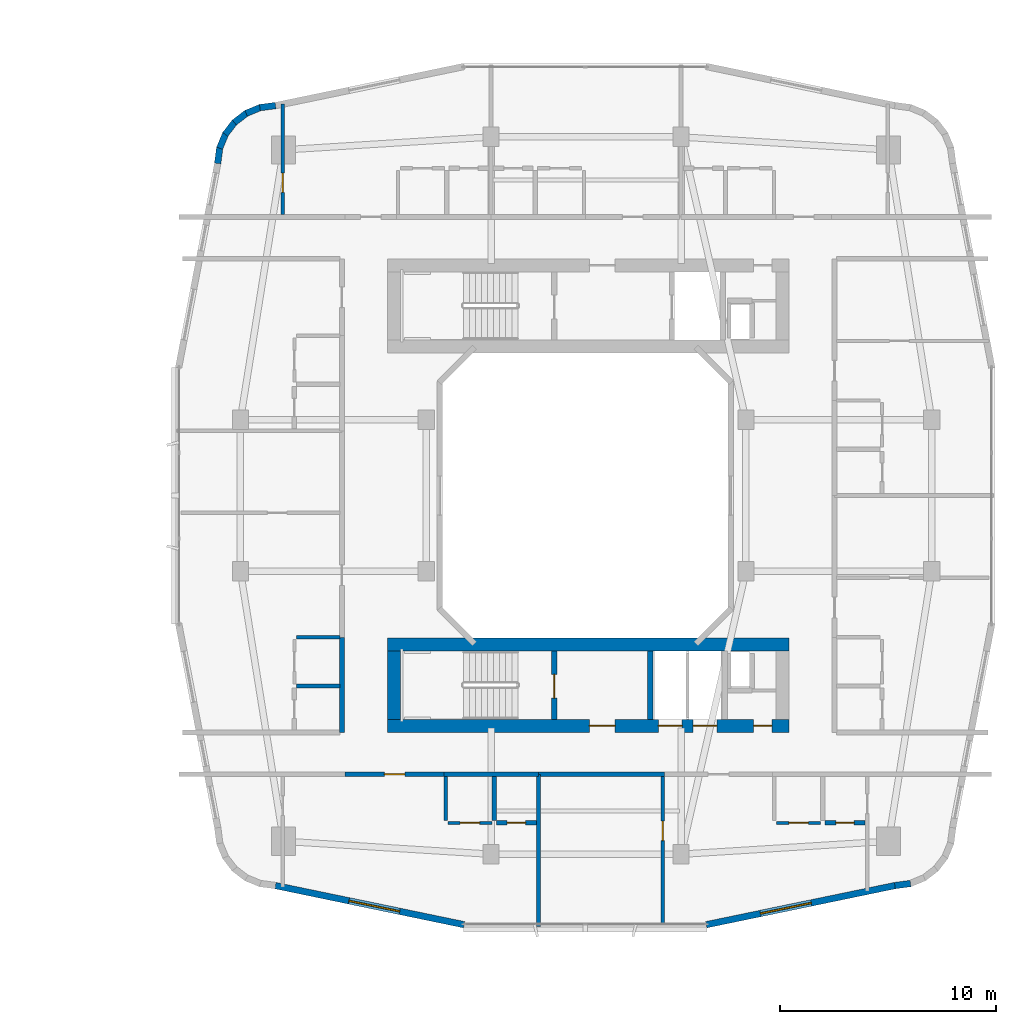
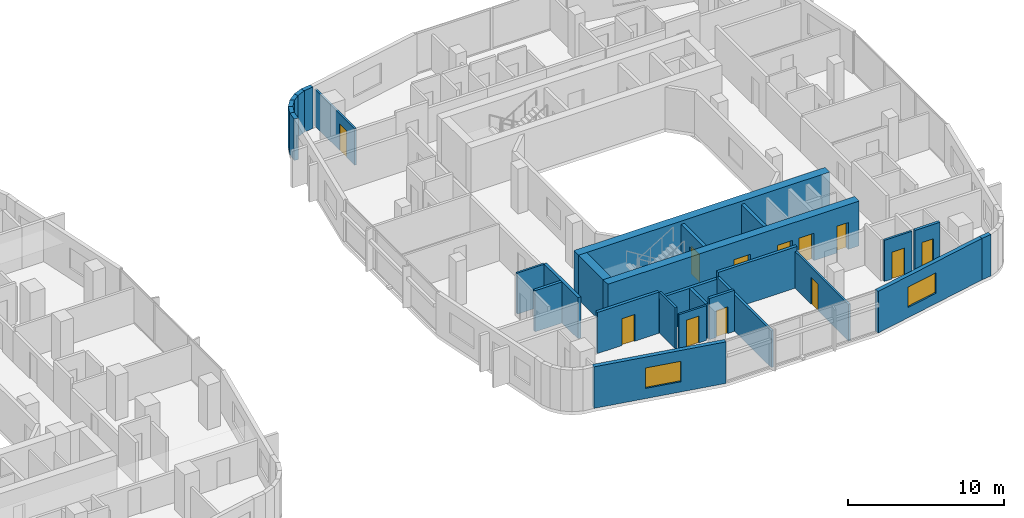
# One storey, part 18 of 27: 29 walls, 12 doors, 2 windows, 14 openings.
"""IFC4 building model written with IfcOpenShell, lengths in metres."""

from ifc_helpers import new_model, si_unit, derived_unit, direction, frame, frame_2d, origin, place, context, subcontext, project, spatial, rectangle, extrude, material, layer, layer_set, type_object, element, fill, save


model = new_model("IFC4")

# Units and contexts
model_context = context("Model", 3, precision=1e-05, world=origin(), true_north=direction((0.0, 1.0)))
body_context = subcontext(model_context, "Body", "Model", "MODEL_VIEW")
ifc_project = project(units=[si_unit("LENGTHUNIT", "METRE"), si_unit("AREAUNIT", "SQUARE_METRE"), si_unit("VOLUMEUNIT", "CUBIC_METRE"), si_unit("PLANEANGLEUNIT", "RADIAN"), si_unit("MASSUNIT", "GRAM", prefix="KILO"), derived_unit("THERMALTRANSMITTANCEUNIT", [(si_unit("POWERUNIT", "WATT"), 1), (si_unit("LENGTHUNIT", "METRE"), -2), (si_unit("THERMODYNAMICTEMPERATUREUNIT", "KELVIN"), -1)])], contexts=[model_context])

# Site, building, storey
site_placement = place(None, origin())
site = spatial("IfcSite", under=ifc_project, at=site_placement, CompositionType="ELEMENT")
building_placement = place(site_placement, origin())
building = spatial("IfcBuilding", under=site, at=building_placement, Name="Kivonza Crest Hotel", CompositionType="ELEMENT")
storey_placement = place(building_placement, frame((0.0, 0.0, 34.5)))
storey = spatial("IfcBuildingStorey", under=building, at=storey_placement, Name="L08", CompositionType="ELEMENT", Elevation=34.5)

# Walls
ifc_material_1 = material(Name="High-density acoustic masonry inter-tenancy wall", Category="masonry")
ifc_layer_1 = layer(ifc_material_1, 0.179931640625)
ifc_layer_set_1 = layer_set([ifc_layer_1], Name="High-density acoustic masonry inter-tenancy wall")
wall_type_1 = type_object("IfcWallType", Name="WL-ACOU-180", PredefinedType="SOLIDWALL", material=ifc_layer_set_1)
wall_1_placement = place(storey_placement, frame((74.800048828125, 5.06005859375, 0.0), z_axis=(0.0, 0.0, 1.0), x_axis=(0.0, 1.0, 0.0)))
element("IfcWall", 1, at=wall_1_placement, inside=storey, type_object=wall_type_1, Name="L08 interior partition WA-L08-T2S-DIV1", PredefinedType="SOLIDWALL", context=body_context, shape_type="SweptSolid", body=[
    extrude(rectangle(XDim=7.0400390625, YDim=0.179931640625, at=frame_2d((3.52001953125, 0.0))), origin(), (0.0, 0.0, 1.0), 2.864990234375),
])
ifc_material_2 = material(Name="Autoclaved aerated concrete blockwork", Category="masonry")
ifc_layer_2 = layer(ifc_material_2, 0.219970703125)
ifc_layer_set_2 = layer_set([ifc_layer_2], Name="Autoclaved aerated concrete blockwork")
wall_type_2 = type_object("IfcWallType", Name="WL-ACOU-220", PredefinedType="SOLIDWALL", material=ifc_layer_set_2)
wall_2_placement = place(storey_placement, frame((70.419921875, 12.10009765625, 0.0), z_axis=(0.0, 0.0, 1.0), x_axis=(1.0, 0.0, 0.0)))
element("IfcWall", 2, at=wall_2_placement, inside=storey, type_object=wall_type_2, Name="L08 interior partition WA-L08-A04-RCORR", PredefinedType="SOLIDWALL", context=body_context, shape_type="SweptSolid", body=[
    extrude(rectangle(XDim=4.380126953125, YDim=0.219970703125, at=frame_2d((2.18994140625, 0.0))), origin(), (0.0, 0.0, 1.0), 2.72509765625),
])

# Wall, opening, door
wall_3_placement = place(storey_placement, frame((65.85009765625, 12.10009765625, 0.0), z_axis=(0.0, 0.0, 1.0), x_axis=(1.0, 0.0, 0.0)))
wall_3 = element("IfcWall", 3, at=wall_3_placement, inside=storey, type_object=wall_type_2, Name="L08 interior partition WA-L08-A04-MCORR", PredefinedType="SOLIDWALL", context=body_context, shape_type="SweptSolid", body=[
    extrude(rectangle(XDim=4.56982421875, YDim=0.219970703125, at=frame_2d((2.284912109375, 0.0))), origin(), (0.0, 0.0, 1.0), 3.219970703125),
])
opening_1_placement = place(wall_3_placement, frame((1.81005859375, 0.0, 0.0)))
opening_1 = element("IfcOpeningElement", 4, at=opening_1_placement, cuts=wall_3, Name="Opening DU-60", PredefinedType="OPENING", context=body_context, shape_type="SweptSolid", body=[
    extrude(rectangle(XDim=0.949951171875, YDim=2.10009765625, at=frame_2d((0.47509765625, 1.050048828125))), frame((0.0, 0.1201171875, 0.0), z_axis=(0.0, -1.0, 0.0), x_axis=(1.0, 0.0, 0.0)), (0.0, 0.0, 1.0), 0.239990234375),
])
ifc_material_3 = material(Name="Hardwood timber oak", Category="wood")
door_type_1 = type_object("IfcDoorType", Name="DR-UNIT-950", OperationType="NOTDEFINED", PredefinedType="DOOR", material=ifc_material_3)
door_1_placement = place(opening_1_placement, frame((0.949951171875, 0.0, 0.0), z_axis=(0.0, 0.0, 1.0), x_axis=(-1.0, 0.0, 0.0)))
door_1 = element("IfcDoor", 5, at=door_1_placement, inside=storey, type_object=door_type_1, Name="L08 A04 apartment entrance fire door", OperationType="SINGLE_SWING_RIGHT", OverallHeight=2.10009765625, OverallWidth=0.949951171875, PredefinedType="DOOR", context=body_context, shape_type="SweptSolid", body=[
    extrude(rectangle(XDim=0.949951171875, YDim=2.10009765625, at=frame_2d((0.47509765625, 1.050048828125))), frame((0.0, 0.02490234375, 0.0), z_axis=(0.0, -1.0, 0.0), x_axis=(1.0, 0.0, 0.0)), (0.0, 0.0, 1.0), 0.050048828125),
])
fill(opening_1, door_1)

# Walls
wall_4_placement = place(storey_placement, frame((74.800048828125, 12.10009765625, 0.0), z_axis=(0.0, 0.0, 1.0), x_axis=(1.0, 0.0, 0.0)))
element("IfcWall", 6, at=wall_4_placement, inside=storey, type_object=wall_type_2, Name="L08 interior partition WA-L08-A05-LCORR", PredefinedType="SOLIDWALL", context=body_context, shape_type="SweptSolid", body=[
    extrude(rectangle(XDim=5.829833984375, YDim=0.219970703125, at=frame_2d((2.9150390625, 0.0))), origin(), (0.0, 0.0, 1.0), 3.219970703125),
])
wall_5_placement = place(storey_placement, frame((65.699951171875, 14.0400390625, 0.0), z_axis=(0.0, 0.0, 1.0), x_axis=(0.0, 1.0, 0.0)))
element("IfcWall", 7, at=wall_5_placement, inside=storey, type_object=wall_type_2, Name="L08 interior partition WA-L08-A06-BCORR", PredefinedType="SOLIDWALL", context=body_context, shape_type="SweptSolid", body=[
    extrude(rectangle(XDim=4.39990234375, YDim=0.219970703125, at=frame_2d((2.199951171875, 0.0))), origin(), (0.0, 0.0, 1.0), 3.219970703125),
])

# Wall, openings, doors
ifc_material_4 = material(Name="Concrete C60/75", Category="concrete")
ifc_layer_3 = layer(ifc_material_4, 0.60009765625)
ifc_layer_set_3 = layer_set([ifc_layer_3], Name="Concrete C60/75")
wall_type_3 = type_object("IfcWallType", Name="WL-CORE-600", PredefinedType="SHEAR", material=ifc_layer_set_3)
wall_6_placement = place(storey_placement, frame((67.800048828125, 14.340087890625, 0.0), z_axis=(0.0, 0.0, 1.0), x_axis=(1.0, 0.0, 0.0)))
wall_6 = element("IfcWall", 8, at=wall_6_placement, inside=storey, type_object=wall_type_3, Name="Core wall T2-S South L08", PredefinedType="SHEAR", context=body_context, shape_type="SweptSolid", body=[
    extrude(rectangle(XDim=18.599853515625, YDim=0.60009765625, at=frame_2d((9.2998046875, 0.0))), origin(), (0.0, 0.0, 1.0), 3.5),
])
opening_2_placement = place(wall_6_placement, frame((9.35009765625, 0.0, 0.0)))
opening_2 = element("IfcOpeningElement", 9, at=opening_2_placement, cuts=wall_6, Name="Opening DF-60", PredefinedType="OPENING", context=body_context, shape_type="SweptSolid", body=[
    extrude(rectangle(XDim=1.199951171875, YDim=2.14990234375, at=frame_2d((0.60009765625, 1.074951171875))), frame((0.0, 0.31005859375, 0.0), z_axis=(0.0, -1.0, 0.0), x_axis=(1.0, 0.0, 0.0)), (0.0, 0.0, 1.0), 0.6201171875),
])
opening_3_placement = place(wall_6_placement, frame((16.949951171875, 0.0, 0.0)))
opening_3 = element("IfcOpeningElement", 10, at=opening_3_placement, cuts=wall_6, Name="Opening DF-60R", PredefinedType="OPENING", context=body_context, shape_type="SweptSolid", body=[
    extrude(rectangle(XDim=0.85009765625, YDim=2.10009765625, at=frame_2d((0.425048828125, 1.050048828125))), frame((0.0, 0.31005859375, 0.0), z_axis=(0.0, -1.0, 0.0), x_axis=(1.0, 0.0, 0.0)), (0.0, 0.0, 1.0), 0.6201171875),
])
opening_4_placement = place(wall_6_placement, frame((12.550048828125, 0.0, 0.0)))
opening_4 = element("IfcOpeningElement", 11, at=opening_4_placement, cuts=wall_6, Name="Opening LD-120", PredefinedType="OPENING", context=body_context, shape_type="SweptSolid", body=[
    extrude(rectangle(XDim=1.10009765625, YDim=2.14990234375, at=frame_2d((0.550048828125, 1.074951171875))), frame((0.0, 0.31005859375, 0.0), z_axis=(0.0, -1.0, 0.0), x_axis=(1.0, 0.0, 0.0)), (0.0, 0.0, 1.0), 0.6201171875),
])
opening_5_placement = place(wall_6_placement, frame((14.14990234375, 0.0, 0.0)))
opening_5 = element("IfcOpeningElement", 12, at=opening_5_placement, cuts=wall_6, Name="Opening LD-120", PredefinedType="OPENING", context=body_context, shape_type="SweptSolid", body=[
    extrude(rectangle(XDim=1.10009765625, YDim=2.14990234375, at=frame_2d((0.550048828125, 1.074951171875))), frame((0.0, 0.31005859375, 0.0), z_axis=(0.0, -1.0, 0.0), x_axis=(1.0, 0.0, 0.0)), (0.0, 0.0, 1.0), 0.6201171875),
])
door_type_2 = type_object("IfcDoorType", Name="DR-FD60-1200", OperationType="NOTDEFINED", PredefinedType="DOOR", material=ifc_material_3)
door_2_placement = place(opening_2_placement, frame((1.199951171875, 0.0, 0.0), z_axis=(0.0, 0.0, 1.0), x_axis=(-1.0, 0.0, 0.0)))
door_2 = element("IfcDoor", 13, at=door_2_placement, inside=storey, type_object=door_type_2, Name="L08 T2-S firefighting lobby fire door", OperationType="SINGLE_SWING_LEFT", OverallHeight=2.14990234375, OverallWidth=1.199951171875, PredefinedType="DOOR", context=body_context, shape_type="SweptSolid", body=[
    extrude(rectangle(XDim=1.199951171875, YDim=2.14990234375, at=frame_2d((0.60009765625, 1.074951171875))), frame((0.0, 0.02490234375, 0.0), z_axis=(0.0, -1.0, 0.0), x_axis=(1.0, 0.0, 0.0)), (0.0, 0.0, 1.0), 0.050048828125),
])
fill(opening_2, door_2)
door_type_3 = type_object("IfcDoorType", Name="DR-FD60-850", OperationType="NOTDEFINED", PredefinedType="DOOR", material=ifc_material_3)
door_3_placement = place(opening_3_placement, frame((0.85009765625, 0.0, 0.0), z_axis=(0.0, 0.0, 1.0), x_axis=(-1.0, 0.0, 0.0)))
door_3 = element("IfcDoor", 14, at=door_3_placement, inside=storey, type_object=door_type_3, Name="L08 T2-S core room door", OperationType="SINGLE_SWING_RIGHT", OverallHeight=2.10009765625, OverallWidth=0.85009765625, PredefinedType="DOOR", context=body_context, shape_type="SweptSolid", body=[
    extrude(rectangle(XDim=0.85009765625, YDim=2.10009765625, at=frame_2d((0.425048828125, 1.050048828125))), frame((0.0, 0.02490234375, 0.0), z_axis=(0.0, -1.0, 0.0), x_axis=(1.0, 0.0, 0.0)), (0.0, 0.0, 1.0), 0.050048828125),
])
fill(opening_3, door_3)
ifc_material_5 = material(Name="Stainless steel", Category="steel")
door_type_4 = type_object("IfcDoorType", Name="DR-LD120-1100", OperationType="NOTDEFINED", PredefinedType="DOOR", material=ifc_material_5)
door_4_placement = place(opening_4_placement, frame((1.10009765625, 0.0, 0.0), z_axis=(0.0, 0.0, 1.0), x_axis=(-1.0, 0.0, 0.0)))
door_4 = element("IfcDoor", 15, at=door_4_placement, inside=storey, type_object=door_type_4, Name="L08 PL-T2-1 passenger lift sliding landing door", OperationType="DOUBLE_DOOR_SLIDING", OverallHeight=2.14990234375, OverallWidth=1.10009765625, PredefinedType="DOOR", context=body_context, shape_type="SweptSolid", body=[
    extrude(rectangle(XDim=1.10009765625, YDim=2.14990234375, at=frame_2d((0.550048828125, 1.074951171875))), frame((0.0, 0.02490234375, 0.0), z_axis=(0.0, -1.0, 0.0), x_axis=(1.0, 0.0, 0.0)), (0.0, 0.0, 1.0), 0.050048828125),
])
fill(opening_4, door_4)
door_5_placement = place(opening_5_placement, frame((1.10009765625, 0.0, 0.0), z_axis=(0.0, 0.0, 1.0), x_axis=(-1.0, 0.0, 0.0)))
door_5 = element("IfcDoor", 16, at=door_5_placement, inside=storey, type_object=door_type_4, Name="L08 PL-T2-2 passenger lift sliding landing door", OperationType="DOUBLE_DOOR_SLIDING", OverallHeight=2.14990234375, OverallWidth=1.10009765625, PredefinedType="DOOR", context=body_context, shape_type="SweptSolid", body=[
    extrude(rectangle(XDim=1.10009765625, YDim=2.14990234375, at=frame_2d((0.550048828125, 1.074951171875))), frame((0.0, 0.02490234375, 0.0), z_axis=(0.0, -1.0, 0.0), x_axis=(1.0, 0.0, 0.0)), (0.0, 0.0, 1.0), 0.050048828125),
])
fill(opening_5, door_5)

# Walls
wall_7_placement = place(storey_placement, frame((67.800048828125, 18.10009765625, 0.0), z_axis=(0.0, 0.0, 1.0), x_axis=(1.0, 0.0, 0.0)))
element("IfcWall", 17, at=wall_7_placement, inside=storey, type_object=wall_type_3, Name="Core wall T2-S North L08", PredefinedType="SHEAR", context=body_context, shape_type="SweptSolid", body=[
    extrude(rectangle(XDim=18.599853515625, YDim=0.60009765625, at=frame_2d((9.2998046875, 0.0))), origin(), (0.0, 0.0, 1.0), 3.5),
])
wall_8_placement = place(storey_placement, frame((68.10009765625, 14.639892578125, 0.0), z_axis=(0.0, 0.0, 1.0), x_axis=(0.0, 1.0, 0.0)))
element("IfcWall", 18, at=wall_8_placement, inside=storey, type_object=wall_type_3, Name="Core wall T2-S West L08", PredefinedType="SHEAR", context=body_context, shape_type="SweptSolid", body=[
    extrude(rectangle(XDim=3.16015625, YDim=0.60009765625, at=frame_2d((1.580078125, 0.0))), origin(), (0.0, 0.0, 1.0), 3.5),
])

# Wall, opening, window
ifc_material_6 = material(Name="Precast concrete C40/50", Category="concrete")
ifc_layer_4 = layer(ifc_material_6, 0.300048828125)
ifc_layer_set_4 = layer_set([ifc_layer_4], Name="Precast concrete C40/50")
wall_type_4 = type_object("IfcWallType", Name="WL-EXT-300", PredefinedType="STANDARD", material=ifc_layer_set_4)
wall_9_placement = place(storey_placement, frame((62.6220703125, 6.948974609375, 0.0), z_axis=(0.0, 0.0, 1.0), x_axis=(0.979127260729, -0.203248142175, 0.0)))
wall_9 = element("IfcWall", 19, at=wall_9_placement, inside=storey, type_object=wall_type_4, Name="L08 T2 exterior insulated wall 7", PredefinedType="STANDARD", context=body_context, shape_type="SweptSolid", body=[
    extrude(rectangle(XDim=8.920166015625, YDim=0.300048828125, at=frame_2d((4.4599609375, 0.0))), origin(), (0.0, 0.0, 1.0), 3.25),
])
opening_6_placement = place(wall_9_placement, frame((3.471923828125, 0.0, 0.800048828125)))
opening_6 = element("IfcOpeningElement", 20, at=opening_6_placement, cuts=wall_9, Name="Opening WN-05", PredefinedType="OPENING", context=body_context, shape_type="SweptSolid", body=[
    extrude(rectangle(XDim=2.39990234375, YDim=1.60009765625, at=frame_2d((1.199951171875, 0.800048828125))), frame((0.0, 0.16015625, 0.0), z_axis=(0.0, -1.0, 0.0), x_axis=(1.0, 0.0, 0.0)), (0.0, 0.0, 1.0), 0.320068359375),
])
ifc_material_7 = material(Name="Thermally broken bronze aluminium and low-E double glazing", Category="aluminium")
window_type = type_object("IfcWindowType", Name="WN-240x160", PartitioningType="TRIPLE_PANEL_VERTICAL", PredefinedType="WINDOW", material=ifc_material_7)
window_1_placement = place(opening_6_placement, origin())
window_1 = element("IfcWindow", 21, at=window_1_placement, inside=storey, type_object=window_type, Name="L08 T2 facade window 7", OverallHeight=1.60009765625, OverallWidth=2.39990234375, PartitioningType="SINGLE_PANEL", PredefinedType="WINDOW", context=body_context, shape_type="SweptSolid", body=[
    extrude(rectangle(XDim=2.39990234375, YDim=1.60009765625, at=frame_2d((1.199951171875, 0.800048828125))), frame((0.0, 0.030029296875, 0.0), z_axis=(0.0, -1.0, 0.0), x_axis=(1.0, 0.0, 0.0)), (0.0, 0.0, 1.0), 0.06005859375),
])
fill(opening_6, window_1)

wall_10_placement = place(storey_placement, frame((82.56396484375, 5.135986328125, 0.0), z_axis=(0.0, 0.0, 1.0), x_axis=(0.979128391325, 0.203242695569, 0.0)))
wall_10 = element("IfcWall", 22, at=wall_10_placement, inside=storey, type_object=wall_type_4, Name="L08 T2 exterior insulated wall 9", PredefinedType="STANDARD", context=body_context, shape_type="SweptSolid", body=[
    extrude(rectangle(XDim=8.92041015625, YDim=0.300048828125, at=frame_2d((4.460205078125, 0.0))), origin(), (0.0, 0.0, 1.0), 3.25),
])
opening_7_placement = place(wall_10_placement, frame((2.56298828125, 0.0, 0.800048828125)))
opening_7 = element("IfcOpeningElement", 23, at=opening_7_placement, cuts=wall_10, Name="Opening WN-05", PredefinedType="OPENING", context=body_context, shape_type="SweptSolid", body=[
    extrude(rectangle(XDim=2.39990234375, YDim=1.60009765625, at=frame_2d((1.199951171875, 0.800048828125))), frame((0.0, 0.16015625, 0.0), z_axis=(0.0, -1.0, 0.0), x_axis=(1.0, 0.0, 0.0)), (0.0, 0.0, 1.0), 0.320068359375),
])
window_2_placement = place(opening_7_placement, origin())
window_2 = element("IfcWindow", 24, at=window_2_placement, inside=storey, type_object=window_type, Name="L08 T2 facade window 9", OverallHeight=1.60009765625, OverallWidth=2.39990234375, PartitioningType="SINGLE_PANEL", PredefinedType="WINDOW", context=body_context, shape_type="SweptSolid", body=[
    extrude(rectangle(XDim=2.39990234375, YDim=1.60009765625, at=frame_2d((1.199951171875, 0.800048828125))), frame((0.0, 0.030029296875, 0.0), z_axis=(0.0, -1.0, 0.0), x_axis=(1.0, 0.0, 0.0)), (0.0, 0.0, 1.0), 0.06005859375),
])
fill(opening_7, window_2)

# Walls
wall_11_placement = place(storey_placement, frame((91.29296875, 6.947998046875, 0.0), z_axis=(0.0, 0.0, 1.0), x_axis=(0.991486167159, 0.13021205909, 0.0)))
element("IfcWall", 25, at=wall_11_placement, inside=storey, type_object=wall_type_4, Name="L08 T2 exterior insulated wall 10", PredefinedType="STANDARD", context=body_context, shape_type="SweptSolid", body=[
    extrude(rectangle(XDim=0.729248046875, YDim=0.300048828125, at=frame_2d((0.36474609375, 0.0))), origin(), (0.0, 0.0, 1.0), 3.25),
])
wall_12_placement = place(storey_placement, frame((62.626953125, 43.052001953125, 0.0), z_axis=(0.0, 0.0, 1.0), x_axis=(-0.991480488834, -0.130255288807, 0.0)))
element("IfcWall", 26, at=wall_12_placement, inside=storey, type_object=wall_type_4, Name="L08 T2 exterior insulated wall 28", PredefinedType="STANDARD", context=body_context, shape_type="SweptSolid", body=[
    extrude(rectangle(XDim=0.72900390625, YDim=0.300048828125, at=frame_2d((0.364501953125, 0.0))), origin(), (0.0, 0.0, 1.0), 3.25),
])
for number, where, z_axis, x_axis, name in (
    (27, (61.955078125, 42.97607421875, 0.0), (0.0, 0.0, 1.0), (-0.923521684703, -0.383546213491, 0.0), "L08 T2 exterior insulated wall 29"),
    (28, (61.31103515625, 42.720947265625, 0.0), (0.0, 0.0, 1.0), (-0.79363269798, -0.608397189915, 0.0), "L08 T2 exterior insulated wall 30"),
    (29, (60.75390625, 42.30908203125, 0.0), (0.0, 0.0, 1.0), (-0.608397189915, -0.79363269798, 0.0), "L08 T2 exterior insulated wall 31"),
    (30, (60.323974609375, 41.76611328125, 0.0), (0.0, 0.0, 1.0), (-0.383151213466, -0.923685632463, 0.0), "L08 T2 exterior insulated wall 32"),
):
    element("IfcWall", number, at=place(storey_placement, frame(where, z_axis=z_axis, x_axis=x_axis)), inside=storey, type_object=wall_type_4, Name=name, PredefinedType="STANDARD", context=body_context, shape_type="SweptSolid", body=[
        extrude(rectangle(XDim=0.74609375, YDim=0.300048828125, at=frame_2d((0.373046875, 0.0))), origin(), (0.0, 0.0, 1.0), 3.25),
    ])
wall_13_placement = place(storey_placement, frame((60.047119140625, 41.131103515625, 0.0), z_axis=(0.0, 0.0, 1.0), x_axis=(-0.129653178221, -0.991559404866, 0.0)))
element("IfcWall", 31, at=wall_13_placement, inside=storey, type_object=wall_type_4, Name="L08 T2 exterior insulated wall 33", PredefinedType="STANDARD", context=body_context, shape_type="SweptSolid", body=[
    extrude(rectangle(XDim=0.764404296875, YDim=0.300048828125, at=frame_2d((0.38232421875, 0.0))), origin(), (0.0, 0.0, 1.0), 3.25),
])

# Wall, opening, door
ifc_material_8 = material(Name="Twin-stud acoustic gypsum board partition", Category="gypsum")
ifc_layer_5 = layer(ifc_material_8, 0.14990234375)
ifc_layer_set_5 = layer_set([ifc_layer_5], Name="Twin-stud acoustic gypsum board partition")
wall_type_5 = type_object("IfcWallType", Name="WL-PART-150", PredefinedType="PARTITIONING", material=ifc_layer_set_5)
wall_14_placement = place(storey_placement, frame((62.9599609375, 38.0, 0.0), z_axis=(0.0, 0.0, 1.0), x_axis=(0.0, 1.0, 0.0)))
wall_14 = element("IfcWall", 32, at=wall_14_placement, inside=storey, type_object=wall_type_5, Name="L08 interior partition WP-L08-A01-BDW1", PredefinedType="PARTITIONING", context=body_context, shape_type="SweptSolid", body=[
    extrude(rectangle(XDim=5.113037109375, YDim=0.14990234375, at=frame_2d((2.556640625, 0.0))), origin(), (0.0, 0.0, 1.0), 2.864990234375),
])
opening_8_placement = place(wall_14_placement, frame((1.030029296875, 0.0, 0.0)))
opening_8 = element("IfcOpeningElement", 33, at=opening_8_placement, cuts=wall_14, Name="Opening DI-90", PredefinedType="OPENING", context=body_context, shape_type="SweptSolid", body=[
    extrude(rectangle(XDim=0.89990234375, YDim=2.10009765625, at=frame_2d((0.449951171875, 1.050048828125))), frame((0.0, 0.0849609375, 0.0), z_axis=(0.0, -1.0, 0.0), x_axis=(1.0, 0.0, 0.0)), (0.0, 0.0, 1.0), 0.169921875),
])
door_type_5 = type_object("IfcDoorType", Name="DR-INT-900", OperationType="NOTDEFINED", PredefinedType="DOOR", material=ifc_material_3)
door_6_placement = place(opening_8_placement, origin())
door_6 = element("IfcDoor", 34, at=door_6_placement, inside=storey, type_object=door_type_5, Name="L08 A01 bedroom 1 door", OperationType="SINGLE_SWING_RIGHT", OverallHeight=2.10009765625, OverallWidth=0.89990234375, PredefinedType="DOOR", context=body_context, shape_type="SweptSolid", body=[
    extrude(rectangle(XDim=0.89990234375, YDim=2.10009765625, at=frame_2d((0.449951171875, 1.050048828125))), frame((0.0, 0.02490234375, 0.0), z_axis=(0.0, -1.0, 0.0), x_axis=(1.0, 0.0, 0.0)), (0.0, 0.0, 1.0), 0.050048828125),
])
fill(opening_8, door_6)

# Wall
wall_15_placement = place(storey_placement, frame((70.5, 9.949951171875, 0.0), z_axis=(0.0, 0.0, 1.0), x_axis=(0.0, 1.0, 0.0)))
element("IfcWall", 35, at=wall_15_placement, inside=storey, type_object=wall_type_5, Name="L08 interior partition WP-L08-A04-KF", PredefinedType="PARTITIONING", context=body_context, shape_type="SweptSolid", body=[
    extrude(rectangle(XDim=2.050048828125, YDim=0.14990234375, at=frame_2d((1.02490234375, 0.0))), origin(), (0.0, 0.0, 1.0), 3.219970703125),
])

# Wall, opening, door
wall_16_placement = place(storey_placement, frame((70.60009765625, 9.85009765625, 0.0), z_axis=(0.0, 0.0, 1.0), x_axis=(1.0, 0.0, 0.0)))
wall_16 = element("IfcWall", 36, at=wall_16_placement, inside=storey, type_object=wall_type_5, Name="L08 interior partition WP-L08-A04-KSVC", PredefinedType="PARTITIONING", context=body_context, shape_type="SweptSolid", body=[
    extrude(rectangle(XDim=2.0498046875, YDim=0.14990234375, at=frame_2d((1.02490234375, 0.0))), origin(), (0.0, 0.0, 1.0), 2.72509765625),
])
opening_9_placement = place(wall_16_placement, frame((0.574951171875, 0.0, 0.0)))
opening_9 = element("IfcOpeningElement", 37, at=opening_9_placement, cuts=wall_16, Name="Opening DI-90", PredefinedType="OPENING", context=body_context, shape_type="SweptSolid", body=[
    extrude(rectangle(XDim=0.89990234375, YDim=2.10009765625, at=frame_2d((0.449951171875, 1.050048828125))), frame((0.0, 0.0849609375, 0.0), z_axis=(0.0, -1.0, 0.0), x_axis=(1.0, 0.0, 0.0)), (0.0, 0.0, 1.0), 0.169921875),
])
door_7_placement = place(opening_9_placement, frame((0.89990234375, 0.0, 0.0), z_axis=(0.0, 0.0, 1.0), x_axis=(-1.0, 0.0, 0.0)))
door_7 = element("IfcDoor", 38, at=door_7_placement, inside=storey, type_object=door_type_5, Name="L08 A04 apartment kitchen door", OperationType="SINGLE_SWING_RIGHT", OverallHeight=2.10009765625, OverallWidth=0.89990234375, PredefinedType="DOOR", context=body_context, shape_type="SweptSolid", body=[
    extrude(rectangle(XDim=0.89990234375, YDim=2.10009765625, at=frame_2d((0.449951171875, 1.050048828125))), frame((0.0, 0.02490234375, 0.0), z_axis=(0.0, -1.0, 0.0), x_axis=(1.0, 0.0, 0.0)), (0.0, 0.0, 1.0), 0.050048828125),
])
fill(opening_9, door_7)

wall_17_placement = place(storey_placement, frame((80.550048828125, 5.159912109375, 0.0), z_axis=(0.0, 0.0, 1.0), x_axis=(0.0, 1.0, 0.0)))
wall_17 = element("IfcWall", 39, at=wall_17_placement, inside=storey, type_object=wall_type_5, Name="L08 interior partition WP-L08-A05-BDW1", PredefinedType="PARTITIONING", context=body_context, shape_type="SweptSolid", body=[
    extrude(rectangle(XDim=6.840087890625, YDim=0.14990234375, at=frame_2d((3.419921875, 0.0))), origin(), (0.0, 0.0, 1.0), 2.864990234375),
])
opening_10_placement = place(wall_17_placement, frame((3.8701171875, 0.0, 0.0)))
opening_10 = element("IfcOpeningElement", 40, at=opening_10_placement, cuts=wall_17, Name="Opening DI-90", PredefinedType="OPENING", context=body_context, shape_type="SweptSolid", body=[
    extrude(rectangle(XDim=0.89990234375, YDim=2.10009765625, at=frame_2d((0.449951171875, 1.050048828125))), frame((0.0, 0.0849609375, 0.0), z_axis=(0.0, -1.0, 0.0), x_axis=(1.0, 0.0, 0.0)), (0.0, 0.0, 1.0), 0.169921875),
])
door_8_placement = place(opening_10_placement, origin())
door_8 = element("IfcDoor", 41, at=door_8_placement, inside=storey, type_object=door_type_5, Name="L08 A05 bedroom 1 door", OperationType="SINGLE_SWING_RIGHT", OverallHeight=2.10009765625, OverallWidth=0.89990234375, PredefinedType="DOOR", context=body_context, shape_type="SweptSolid", body=[
    extrude(rectangle(XDim=0.89990234375, YDim=2.10009765625, at=frame_2d((0.449951171875, 1.050048828125))), frame((0.0, 0.02490234375, 0.0), z_axis=(0.0, -1.0, 0.0), x_axis=(1.0, 0.0, 0.0)), (0.0, 0.0, 1.0), 0.050048828125),
])
fill(opening_10, door_8)

wall_18_placement = place(storey_placement, frame((85.81005859375, 9.85009765625, 0.0), z_axis=(0.0, 0.0, 1.0), x_axis=(1.0, 0.0, 0.0)))
wall_18 = element("IfcWall", 42, at=wall_18_placement, inside=storey, type_object=wall_type_5, Name="L08 interior partition WP-L08-A05-KSVC", PredefinedType="PARTITIONING", context=body_context, shape_type="SweptSolid", body=[
    extrude(rectangle(XDim=2.050048828125, YDim=0.14990234375, at=frame_2d((1.02490234375, 0.0))), origin(), (0.0, 0.0, 1.0), 3.219970703125),
])
opening_11_placement = place(wall_18_placement, frame((0.574951171875, 0.0, 0.0)))
opening_11 = element("IfcOpeningElement", 43, at=opening_11_placement, cuts=wall_18, Name="Opening DI-90", PredefinedType="OPENING", context=body_context, shape_type="SweptSolid", body=[
    extrude(rectangle(XDim=0.89990234375, YDim=2.10009765625, at=frame_2d((0.449951171875, 1.050048828125))), frame((0.0, 0.0849609375, 0.0), z_axis=(0.0, -1.0, 0.0), x_axis=(1.0, 0.0, 0.0)), (0.0, 0.0, 1.0), 0.169921875),
])
door_9_placement = place(opening_11_placement, frame((0.89990234375, 0.0, 0.0), z_axis=(0.0, 0.0, 1.0), x_axis=(-1.0, 0.0, 0.0)))
door_9 = element("IfcDoor", 44, at=door_9_placement, inside=storey, type_object=door_type_5, Name="L08 A05 apartment kitchen door", OperationType="SINGLE_SWING_LEFT", OverallHeight=2.10009765625, OverallWidth=0.89990234375, PredefinedType="DOOR", context=body_context, shape_type="SweptSolid", body=[
    extrude(rectangle(XDim=0.89990234375, YDim=2.10009765625, at=frame_2d((0.449951171875, 1.050048828125))), frame((0.0, 0.02490234375, 0.0), z_axis=(0.0, -1.0, 0.0), x_axis=(1.0, 0.0, 0.0)), (0.0, 0.0, 1.0), 0.050048828125),
])
fill(opening_11, door_9)

# Walls
wall_19_placement = place(storey_placement, frame((63.60009765625, 18.43994140625, 0.0), z_axis=(0.0, 0.0, 1.0), x_axis=(1.0, 0.0, 0.0)))
element("IfcWall", 45, at=wall_19_placement, inside=storey, type_object=wall_type_5, Name="L08 interior partition WP-L08-A06-KF", PredefinedType="PARTITIONING", context=body_context, shape_type="SweptSolid", body=[
    extrude(rectangle(XDim=2.0, YDim=0.14990234375, at=frame_2d((1.0, 0.0))), origin(), (0.0, 0.0, 1.0), 3.219970703125),
])
ifc_material_9 = material(Name="Moisture-resistant plumbing chase partition wall", Category="gypsum")
ifc_layer_6 = layer(ifc_material_9, 0.199951171875)
ifc_layer_set_6 = layer_set([ifc_layer_6], Name="Moisture-resistant plumbing chase partition wall")
wall_type_6 = type_object("IfcWallType", Name="WL-PLUMB-200", PredefinedType="PLUMBINGWALL", material=ifc_layer_set_6)
wall_20_placement = place(storey_placement, frame((72.75, 9.949951171875, 0.0), z_axis=(0.0, 0.0, 1.0), x_axis=(0.0, 1.0, 0.0)))
element("IfcWall", 46, at=wall_20_placement, inside=storey, type_object=wall_type_6, Name="L08 interior partition WW-L08-A04-BK", PredefinedType="PLUMBINGWALL", context=body_context, shape_type="SweptSolid", body=[
    extrude(rectangle(XDim=2.050048828125, YDim=0.199951171875, at=frame_2d((1.02490234375, 0.0))), origin(), (0.0, 0.0, 1.0), 2.72509765625),
])

# Wall, opening, door
wall_21_placement = place(storey_placement, frame((72.85009765625, 9.85009765625, 0.0), z_axis=(0.0, 0.0, 1.0), x_axis=(1.0, 0.0, 0.0)))
wall_21 = element("IfcWall", 47, at=wall_21_placement, inside=storey, type_object=wall_type_6, Name="L08 interior partition WW-L08-A04-BSVC", PredefinedType="PLUMBINGWALL", context=body_context, shape_type="SweptSolid", body=[
    extrude(rectangle(XDim=1.849853515625, YDim=0.199951171875, at=frame_2d((0.9248046875, 0.0))), origin(), (0.0, 0.0, 1.0), 3.219970703125),
])
opening_12_placement = place(wall_21_placement, frame((0.5, 0.0, 0.0)))
opening_12 = element("IfcOpeningElement", 48, at=opening_12_placement, cuts=wall_21, Name="Opening DI-85", PredefinedType="OPENING", context=body_context, shape_type="SweptSolid", body=[
    extrude(rectangle(XDim=0.85009765625, YDim=2.10009765625, at=frame_2d((0.425048828125, 1.050048828125))), frame((0.0, 0.10986328125, 0.0), z_axis=(0.0, -1.0, 0.0), x_axis=(1.0, 0.0, 0.0)), (0.0, 0.0, 1.0), 0.219970703125),
])
door_type_6 = type_object("IfcDoorType", Name="DR-INT-850", OperationType="NOTDEFINED", PredefinedType="DOOR", material=ifc_material_3)
door_10_placement = place(opening_12_placement, frame((0.85009765625, 0.0, 0.0), z_axis=(0.0, 0.0, 1.0), x_axis=(-1.0, 0.0, 0.0)))
door_10 = element("IfcDoor", 49, at=door_10_placement, inside=storey, type_object=door_type_6, Name="L08 A04 apartment bathroom door", OperationType="SINGLE_SWING_LEFT", OverallHeight=2.10009765625, OverallWidth=0.85009765625, PredefinedType="DOOR", context=body_context, shape_type="SweptSolid", body=[
    extrude(rectangle(XDim=0.85009765625, YDim=2.10009765625, at=frame_2d((0.425048828125, 1.050048828125))), frame((0.0, 0.02490234375, 0.0), z_axis=(0.0, -1.0, 0.0), x_axis=(1.0, 0.0, 0.0)), (0.0, 0.0, 1.0), 0.050048828125),
])
fill(opening_12, door_10)

wall_22_placement = place(storey_placement, frame((88.06005859375, 9.85009765625, 0.0), z_axis=(0.0, 0.0, 1.0), x_axis=(1.0, 0.0, 0.0)))
wall_22 = element("IfcWall", 50, at=wall_22_placement, inside=storey, type_object=wall_type_6, Name="L08 interior partition WW-L08-A05-BSVC", PredefinedType="PLUMBINGWALL", context=body_context, shape_type="SweptSolid", body=[
    extrude(rectangle(XDim=1.849853515625, YDim=0.199951171875, at=frame_2d((0.9248046875, 0.0))), origin(), (0.0, 0.0, 1.0), 3.219970703125),
])
opening_13_placement = place(wall_22_placement, frame((0.5, 0.0, 0.0)))
opening_13 = element("IfcOpeningElement", 51, at=opening_13_placement, cuts=wall_22, Name="Opening DI-85", PredefinedType="OPENING", context=body_context, shape_type="SweptSolid", body=[
    extrude(rectangle(XDim=0.85009765625, YDim=2.10009765625, at=frame_2d((0.425048828125, 1.050048828125))), frame((0.0, 0.10986328125, 0.0), z_axis=(0.0, -1.0, 0.0), x_axis=(1.0, 0.0, 0.0)), (0.0, 0.0, 1.0), 0.219970703125),
])
door_11_placement = place(opening_13_placement, frame((0.85009765625, 0.0, 0.0), z_axis=(0.0, 0.0, 1.0), x_axis=(-1.0, 0.0, 0.0)))
door_11 = element("IfcDoor", 52, at=door_11_placement, inside=storey, type_object=door_type_6, Name="L08 A05 apartment bathroom door", OperationType="SINGLE_SWING_RIGHT", OverallHeight=2.10009765625, OverallWidth=0.85009765625, PredefinedType="DOOR", context=body_context, shape_type="SweptSolid", body=[
    extrude(rectangle(XDim=0.85009765625, YDim=2.10009765625, at=frame_2d((0.425048828125, 1.050048828125))), frame((0.0, 0.02490234375, 0.0), z_axis=(0.0, -1.0, 0.0), x_axis=(1.0, 0.0, 0.0)), (0.0, 0.0, 1.0), 0.050048828125),
])
fill(opening_13, door_11)

# Wall
wall_23_placement = place(storey_placement, frame((63.60009765625, 16.18994140625, 0.0), z_axis=(0.0, 0.0, 1.0), x_axis=(1.0, 0.0, 0.0)))
element("IfcWall", 53, at=wall_23_placement, inside=storey, type_object=wall_type_6, Name="L08 interior partition WW-L08-A06-BK", PredefinedType="PLUMBINGWALL", context=body_context, shape_type="SweptSolid", body=[
    extrude(rectangle(XDim=2.0, YDim=0.199951171875, at=frame_2d((1.0, 0.0))), origin(), (0.0, 0.0, 1.0), 3.219970703125),
])

# Wall, opening, door
ifc_material_10 = material(Name="Concrete C50/60", Category="concrete")
ifc_layer_7 = layer(ifc_material_10, 0.25)
ifc_layer_set_7 = layer_set([ifc_layer_7], Name="Concrete C50/60")
wall_type_7 = type_object("IfcWallType", Name="WL-SHAFT-250", PredefinedType="STANDARD", material=ifc_layer_set_7)
wall_24_placement = place(storey_placement, frame((75.52490234375, 14.639892578125, 0.0), z_axis=(0.0, 0.0, 1.0), x_axis=(0.0, 1.0, 0.0)))
wall_24 = element("IfcWall", 54, at=wall_24_placement, inside=storey, type_object=wall_type_7, Name="Core shaft wall T2-S STAIR L08", PredefinedType="STANDARD", context=body_context, shape_type="SweptSolid", body=[
    extrude(rectangle(XDim=3.16015625, YDim=0.25, at=frame_2d((1.580078125, 0.0))), origin(), (0.0, 0.0, 1.0), 3.25),
])
opening_14_placement = place(wall_24_placement, frame((0.97998046875, 0.0, 0.0)))
opening_14 = element("IfcOpeningElement", 55, at=opening_14_placement, cuts=wall_24, Name="Opening DF-120", PredefinedType="OPENING", context=body_context, shape_type="SweptSolid", body=[
    extrude(rectangle(XDim=1.10009765625, YDim=2.14990234375, at=frame_2d((0.550048828125, 1.074951171875))), frame((0.0, 0.135009765625, 0.0), z_axis=(0.0, -1.0, 0.0), x_axis=(1.0, 0.0, 0.0)), (0.0, 0.0, 1.0), 0.27001953125),
])
ifc_material_11 = material(Name="Galvanised steel", Category="steel")
door_type_7 = type_object("IfcDoorType", Name="DR-FD120-1100", OperationType="NOTDEFINED", PredefinedType="DOOR", material=ifc_material_11)
door_12_placement = place(opening_14_placement, frame((1.10009765625, 0.0, 0.0), z_axis=(0.0, 0.0, 1.0), x_axis=(-1.0, 0.0, 0.0)))
door_12 = element("IfcDoor", 56, at=door_12_placement, inside=storey, type_object=door_type_7, Name="L08 T2-S stair fire door", OperationType="SINGLE_SWING_RIGHT", OverallHeight=2.14990234375, OverallWidth=1.10009765625, PredefinedType="DOOR", context=body_context, shape_type="SweptSolid", body=[
    extrude(rectangle(XDim=1.10009765625, YDim=2.14990234375, at=frame_2d((0.550048828125, 1.074951171875))), frame((0.0, 0.02490234375, 0.0), z_axis=(0.0, -1.0, 0.0), x_axis=(1.0, 0.0, 0.0)), (0.0, 0.0, 1.0), 0.050048828125),
])
fill(opening_14, door_12)

# Wall
wall_25_placement = place(storey_placement, frame((79.97509765625, 14.639892578125, 0.0), z_axis=(0.0, 0.0, 1.0), x_axis=(0.0, 1.0, 0.0)))
element("IfcWall", 57, at=wall_25_placement, inside=storey, type_object=wall_type_7, Name="Core shaft wall T2-S BANK-W L08", PredefinedType="STANDARD", context=body_context, shape_type="SweptSolid", body=[
    extrude(rectangle(XDim=3.16015625, YDim=0.25, at=frame_2d((1.580078125, 0.0))), origin(), (0.0, 0.0, 1.0), 3.25),
])

save(model, "model.ifc")
